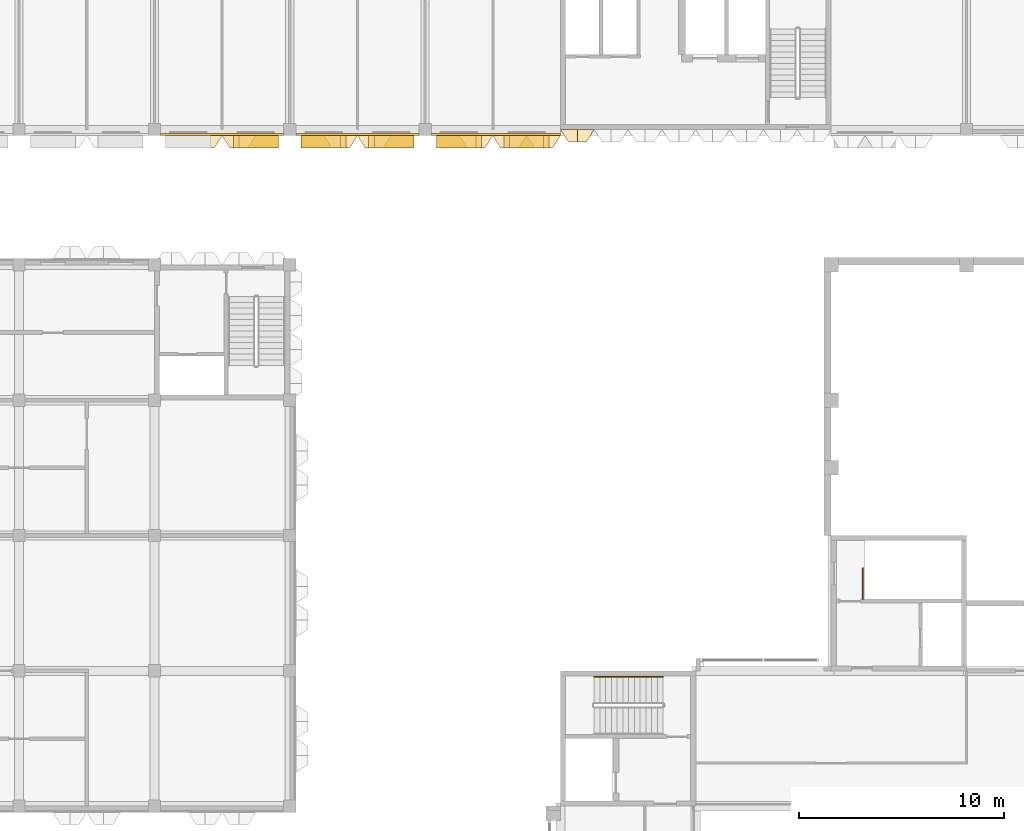
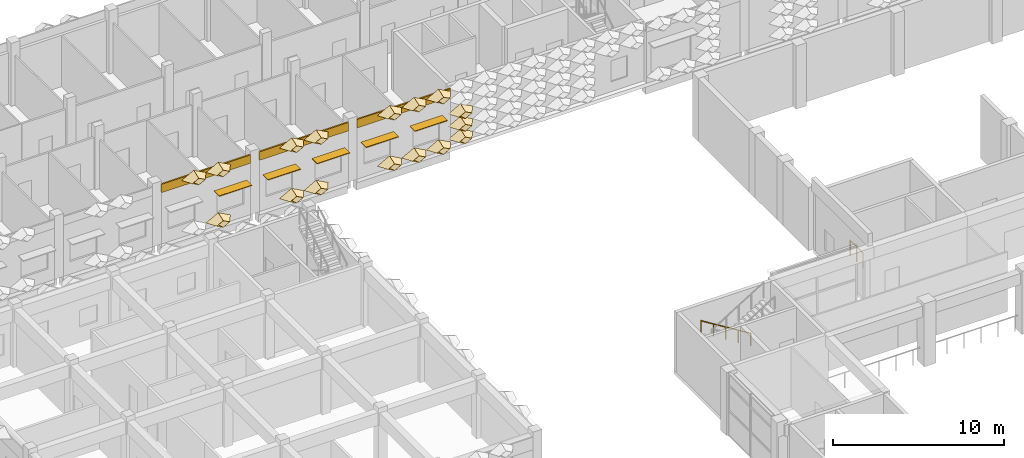
# One storey, part 72 of 87: 19 coverings, 5 shading devices, 2 railings.
"""IFC4 building model written with IfcOpenShell, lengths in metres."""

from ifc_helpers import new_model, entity, si_unit, direction, frame, frame_2d, origin, origin_2d, place, context, subcontext, project, spatial, rectangle, circle, extrude, material, layer, layer_set, type_object, element, save


model = new_model("IFC4")

# Units and contexts
model_context = context("Model", 3, precision=1e-05, world=origin(), true_north=direction((0.0, 1.0)))
body_context = subcontext(model_context, "Body", "Model", "MODEL_VIEW")
ifc_project = project(units=[si_unit("LENGTHUNIT", "METRE"), si_unit("AREAUNIT", "SQUARE_METRE"), si_unit("VOLUMEUNIT", "CUBIC_METRE"), si_unit("PLANEANGLEUNIT", "RADIAN"), si_unit("MASSUNIT", "GRAM", prefix="KILO")], contexts=[model_context])

# Site, building, storey
site_placement = place(None, origin())
site = spatial("IfcSite", under=ifc_project, at=site_placement, CompositionType="ELEMENT")
building_placement = place(site_placement, origin())
building = spatial("IfcBuilding", under=site, at=building_placement, Name="Lantern Court Research Institute", CompositionType="ELEMENT")
storey_placement = place(building_placement, frame((0.0, 0.0, 5.39990234375)))
storey = spatial("IfcBuildingStorey", under=building, at=storey_placement, Name="L01", CompositionType="ELEMENT", Elevation=5.39990234375)

# Shading devices
ifc_material_1 = material(Name="Aluminium alloy 6063-T6", Category="aluminium")
ifc_layer_1 = layer(ifc_material_1, 0.050048828125)
ifc_layer_set_1 = layer_set([ifc_layer_1], Name="Aluminium alloy 6063-T6")
shading_device_type = type_object("IfcShadingDeviceType", Name="Brise-soleil blade 2200 x 600 x 50 aluminium", PredefinedType="USERDEFINED", material=ifc_layer_set_1)
for number, where, z_axis, x_axis, name in (
    (1, (24.75, 81.89990234375, 2.5), (0.0, 0.0, 1.0), (-1.0, 0.0, 0.0), "Brise-soleil blade L01 S"),
    (2, (28.050048828125, 81.89990234375, 2.5), (0.0, 0.0, 1.0), (-1.0, 0.0, 0.0), "Brise-soleil blade L01 S"),
    (3, (31.35009765625, 81.89990234375, 2.5), (0.0, 0.0, 1.0), (-1.0, 0.0, 0.0), "Brise-soleil blade L01 S"),
    (4, (34.64990234375, 81.89990234375, 2.5), (0.0, 0.0, 1.0), (-1.0, 0.0, 0.0), "Brise-soleil blade L01 S"),
    (5, (37.949951171875, 81.89990234375, 2.5), (0.0, 0.0, 1.0), (-1.0, 0.0, 0.0), "Brise-soleil blade L01 S"),
):
    element("IfcShadingDevice", number, at=place(storey_placement, frame(where, z_axis=z_axis, x_axis=x_axis)), inside=storey, type_object=shading_device_type, Name=name, ObjectType="LOUVRE", PredefinedType="USERDEFINED", context=body_context, shape_type="SweptSolid", body=[
        extrude(rectangle(XDim=2.199951171875, YDim=0.60009765625, at=origin_2d()), origin(), (0.0, 0.0, 1.0), 0.050048828125),
    ])

# Coverings
ifc_material_2 = material(Name="Aluminium composite panel with mineral wool insulation", Category="aluminium")
ifc_layer_2 = layer(ifc_material_2, 0.10009765625)
ifc_layer_set_2 = layer_set([ifc_layer_2], Name="Aluminium composite panel with mineral wool insulation")
covering_type_1 = type_object("IfcCoveringType", Name="Edge fascia panel 100 aluminium faced", PredefinedType="CLADDING", material=ifc_layer_set_2)
for number, where, z_axis, x_axis, name in (
    (6, (26.10009765625, 82.25, 3.650146484375), (0.0, 0.0, 1.0), (-1.0, 0.0, 0.0), "Edge fascia V6S L01 04"),
    (7, (32.699951171875, 82.25, 3.650146484375), (0.0, 0.0, 1.0), (-1.0, 0.0, 0.0), "Edge fascia V6S L01 05"),
):
    element("IfcCovering", number, at=place(storey_placement, frame(where, z_axis=z_axis, x_axis=x_axis)), inside=storey, type_object=covering_type_1, Name=name, PredefinedType="CLADDING", context=body_context, shape_type="SweptSolid", body=[
        extrude(rectangle(XDim=6.0, YDim=0.10009765625, at=frame_2d((3.0, 0.0))), origin(), (0.0, 0.0, 1.0), 0.599853515625),
    ])
covering_1_placement = place(storey_placement, frame((39.60009765625, 82.25, 3.650146484375), z_axis=(0.0, 0.0, 1.0), x_axis=(-1.0, 0.0, 0.0)))
element("IfcCovering", 8, at=covering_1_placement, inside=storey, type_object=covering_type_1, Name="Edge fascia V6S L01 06", PredefinedType="CLADDING", context=body_context, shape_type="SweptSolid", body=[
    extrude(rectangle(XDim=6.300048828125, YDim=0.10009765625, at=frame_2d((3.14990234375, 0.0))), origin(), (0.0, 0.0, 1.0), 0.599853515625),
])
ifc_material_3 = material(Name="Anodised aluminium", Category="aluminium")
ifc_layer_3 = layer(ifc_material_3, 0.01611328125)
ifc_layer_set_3 = layer_set([ifc_layer_3], Name="Anodised aluminium")
covering_type_2 = type_object("IfcCoveringType", Name="Fin cassette 1650 x 900 x 600 aluminium", PredefinedType="CLADDING", material=ifc_layer_set_3)
covering_2_placement = place(storey_placement, frame((40.425048828125, 82.5, 0.4501953125), z_axis=(0.0, -1.0, 0.0), x_axis=(1.0, 0.0, 0.0)))
cartesian_point_1 = entity("IfcCartesianPoint", [0.824951171875, 0.0])
cartesian_point_2 = entity("IfcCartesianPoint", [0.79150390625, 0.0])
cartesian_point_3 = entity("IfcCartesianPoint", [0.44189453125, 0.0])
cartesian_point_4 = entity("IfcCartesianPoint", [0.43359375, 0.0])
element("IfcCovering", 9, at=covering_2_placement, inside=storey, type_object=covering_type_2, Name="Fin cassette V6S-L01 1.25", PredefinedType="CLADDING", context=body_context, shape_type="SweptSolid", body=[
    entity("IfcExtrudedAreaSolidTapered", entity("IfcArbitraryProfileDefWithVoids", "AREA", None, entity("IfcPolyline", [cartesian_point_1, entity("IfcCartesianPoint", [0.0, 0.449951171875]), entity("IfcCartesianPoint", [-0.824951171875, 0.0]), entity("IfcCartesianPoint", [0.0, -0.449951171875]), cartesian_point_1]), [entity("IfcPolyline", [cartesian_point_2, entity("IfcCartesianPoint", [0.0, 0.431884765625]), entity("IfcCartesianPoint", [-0.79150390625, 0.0]), entity("IfcCartesianPoint", [0.0, -0.431884765625]), cartesian_point_2])]), entity("IfcAxis2Placement3D", entity("IfcCartesianPoint", [0.0, 0.0, 0.0])), entity("IfcDirection", [0.0, 0.0, 1.0]), 0.60009765625, entity("IfcArbitraryProfileDefWithVoids", "AREA", None, entity("IfcPolyline", [cartesian_point_3, entity("IfcCartesianPoint", [0.0, 0.240966796875]), entity("IfcCartesianPoint", [-0.44189453125, 0.0]), entity("IfcCartesianPoint", [0.0, -0.240966796875]), cartesian_point_3]), [entity("IfcPolyline", [cartesian_point_4, entity("IfcCartesianPoint", [0.0, 0.236572265625]), entity("IfcCartesianPoint", [-0.43359375, 0.0]), entity("IfcCartesianPoint", [0.0, -0.236572265625]), cartesian_point_4])])),
])
covering_3_placement = place(storey_placement, frame((40.425048828125, 82.5, 1.35009765625), z_axis=(0.0, -1.0, 0.0), x_axis=(1.0, 0.0, 0.0)))
cartesian_point_5 = entity("IfcCartesianPoint", [0.824951171875, 0.0])
cartesian_point_6 = entity("IfcCartesianPoint", [0.79150390625, 0.0])
cartesian_point_7 = entity("IfcCartesianPoint", [0.44189453125, 0.0])
cartesian_point_8 = entity("IfcCartesianPoint", [0.43359375, 0.0])
element("IfcCovering", 10, at=covering_3_placement, inside=storey, type_object=covering_type_2, Name="Fin cassette V6S-L01 2.25", PredefinedType="CLADDING", context=body_context, shape_type="SweptSolid", body=[
    entity("IfcExtrudedAreaSolidTapered", entity("IfcArbitraryProfileDefWithVoids", "AREA", None, entity("IfcPolyline", [cartesian_point_5, entity("IfcCartesianPoint", [0.0, 0.449951171875]), entity("IfcCartesianPoint", [-0.824951171875, 0.0]), entity("IfcCartesianPoint", [0.0, -0.449951171875]), cartesian_point_5]), [entity("IfcPolyline", [cartesian_point_6, entity("IfcCartesianPoint", [0.0, 0.431884765625]), entity("IfcCartesianPoint", [-0.79150390625, 0.0]), entity("IfcCartesianPoint", [0.0, -0.431884765625]), cartesian_point_6])]), entity("IfcAxis2Placement3D", entity("IfcCartesianPoint", [0.0, 0.0, 0.0])), entity("IfcDirection", [0.0, 0.0, 1.0]), 0.60009765625, entity("IfcArbitraryProfileDefWithVoids", "AREA", None, entity("IfcPolyline", [cartesian_point_7, entity("IfcCartesianPoint", [0.0, 0.240966796875]), entity("IfcCartesianPoint", [-0.44189453125, 0.0]), entity("IfcCartesianPoint", [0.0, -0.240966796875]), cartesian_point_7]), [entity("IfcPolyline", [cartesian_point_8, entity("IfcCartesianPoint", [0.0, 0.236572265625]), entity("IfcCartesianPoint", [-0.43359375, 0.0]), entity("IfcCartesianPoint", [0.0, -0.236572265625]), cartesian_point_8])])),
])
covering_4_placement = place(storey_placement, frame((40.425048828125, 82.5, 2.25), z_axis=(0.0, -1.0, 0.0), x_axis=(1.0, 0.0, 0.0)))
cartesian_point_9 = entity("IfcCartesianPoint", [0.824951171875, 0.0])
cartesian_point_10 = entity("IfcCartesianPoint", [0.79150390625, 0.0])
cartesian_point_11 = entity("IfcCartesianPoint", [0.44189453125, 0.0])
cartesian_point_12 = entity("IfcCartesianPoint", [0.43359375, 0.0])
element("IfcCovering", 11, at=covering_4_placement, inside=storey, type_object=covering_type_2, Name="Fin cassette V6S-L01 3.25", PredefinedType="CLADDING", context=body_context, shape_type="SweptSolid", body=[
    entity("IfcExtrudedAreaSolidTapered", entity("IfcArbitraryProfileDefWithVoids", "AREA", None, entity("IfcPolyline", [cartesian_point_9, entity("IfcCartesianPoint", [0.0, 0.449951171875]), entity("IfcCartesianPoint", [-0.824951171875, 0.0]), entity("IfcCartesianPoint", [0.0, -0.449951171875]), cartesian_point_9]), [entity("IfcPolyline", [cartesian_point_10, entity("IfcCartesianPoint", [0.0, 0.431884765625]), entity("IfcCartesianPoint", [-0.79150390625, 0.0]), entity("IfcCartesianPoint", [0.0, -0.431884765625]), cartesian_point_10])]), entity("IfcAxis2Placement3D", entity("IfcCartesianPoint", [0.0, 0.0, 0.0])), entity("IfcDirection", [0.0, 0.0, 1.0]), 0.60009765625, entity("IfcArbitraryProfileDefWithVoids", "AREA", None, entity("IfcPolyline", [cartesian_point_11, entity("IfcCartesianPoint", [0.0, 0.240966796875]), entity("IfcCartesianPoint", [-0.44189453125, 0.0]), entity("IfcCartesianPoint", [0.0, -0.240966796875]), cartesian_point_11]), [entity("IfcPolyline", [cartesian_point_12, entity("IfcCartesianPoint", [0.0, 0.236572265625]), entity("IfcCartesianPoint", [-0.43359375, 0.0]), entity("IfcCartesianPoint", [0.0, -0.236572265625]), cartesian_point_12])])),
])
covering_5_placement = place(storey_placement, frame((23.925048828125, 82.199951171875, 0.4501953125), z_axis=(0.0, -1.0, 0.0), x_axis=(1.0, 0.0, 0.0)))
cartesian_point_13 = entity("IfcCartesianPoint", [0.824951171875, 0.0])
cartesian_point_14 = entity("IfcCartesianPoint", [0.79150390625, 0.0])
cartesian_point_15 = entity("IfcCartesianPoint", [0.44189453125, 0.0])
cartesian_point_16 = entity("IfcCartesianPoint", [0.43359375, 0.0])
element("IfcCovering", 12, at=covering_5_placement, inside=storey, type_object=covering_type_2, Name="Fin cassette V6S-L01 1.15", PredefinedType="CLADDING", context=body_context, shape_type="SweptSolid", body=[
    entity("IfcExtrudedAreaSolidTapered", entity("IfcArbitraryProfileDefWithVoids", "AREA", None, entity("IfcPolyline", [cartesian_point_13, entity("IfcCartesianPoint", [0.0, 0.449951171875]), entity("IfcCartesianPoint", [-0.824951171875, 0.0]), entity("IfcCartesianPoint", [0.0, -0.449951171875]), cartesian_point_13]), [entity("IfcPolyline", [cartesian_point_14, entity("IfcCartesianPoint", [0.0, 0.431884765625]), entity("IfcCartesianPoint", [-0.79150390625, 0.0]), entity("IfcCartesianPoint", [0.0, -0.431884765625]), cartesian_point_14])]), entity("IfcAxis2Placement3D", entity("IfcCartesianPoint", [0.0, 0.0, 0.0])), entity("IfcDirection", [0.0, 0.0, 1.0]), 0.60009765625, entity("IfcArbitraryProfileDefWithVoids", "AREA", None, entity("IfcPolyline", [cartesian_point_15, entity("IfcCartesianPoint", [0.0, 0.240966796875]), entity("IfcCartesianPoint", [-0.44189453125, 0.0]), entity("IfcCartesianPoint", [0.0, -0.240966796875]), cartesian_point_15]), [entity("IfcPolyline", [cartesian_point_16, entity("IfcCartesianPoint", [0.0, 0.236572265625]), entity("IfcCartesianPoint", [-0.43359375, 0.0]), entity("IfcCartesianPoint", [0.0, -0.236572265625]), cartesian_point_16])])),
])
covering_6_placement = place(storey_placement, frame((28.875, 82.199951171875, 0.4501953125), z_axis=(0.0, -1.0, 0.0), x_axis=(1.0, 0.0, 0.0)))
cartesian_point_17 = entity("IfcCartesianPoint", [0.824951171875, 0.0])
cartesian_point_18 = entity("IfcCartesianPoint", [0.79150390625, 0.0])
cartesian_point_19 = entity("IfcCartesianPoint", [0.44189453125, 0.0])
cartesian_point_20 = entity("IfcCartesianPoint", [0.43359375, 0.0])
element("IfcCovering", 13, at=covering_6_placement, inside=storey, type_object=covering_type_2, Name="Fin cassette V6S-L01 1.18", PredefinedType="CLADDING", context=body_context, shape_type="SweptSolid", body=[
    entity("IfcExtrudedAreaSolidTapered", entity("IfcArbitraryProfileDefWithVoids", "AREA", None, entity("IfcPolyline", [cartesian_point_17, entity("IfcCartesianPoint", [0.0, 0.449951171875]), entity("IfcCartesianPoint", [-0.824951171875, 0.0]), entity("IfcCartesianPoint", [0.0, -0.449951171875]), cartesian_point_17]), [entity("IfcPolyline", [cartesian_point_18, entity("IfcCartesianPoint", [0.0, 0.431884765625]), entity("IfcCartesianPoint", [-0.79150390625, 0.0]), entity("IfcCartesianPoint", [0.0, -0.431884765625]), cartesian_point_18])]), entity("IfcAxis2Placement3D", entity("IfcCartesianPoint", [0.0, 0.0, 0.0])), entity("IfcDirection", [0.0, 0.0, 1.0]), 0.60009765625, entity("IfcArbitraryProfileDefWithVoids", "AREA", None, entity("IfcPolyline", [cartesian_point_19, entity("IfcCartesianPoint", [0.0, 0.240966796875]), entity("IfcCartesianPoint", [-0.44189453125, 0.0]), entity("IfcCartesianPoint", [0.0, -0.240966796875]), cartesian_point_19]), [entity("IfcPolyline", [cartesian_point_20, entity("IfcCartesianPoint", [0.0, 0.236572265625]), entity("IfcCartesianPoint", [-0.43359375, 0.0]), entity("IfcCartesianPoint", [0.0, -0.236572265625]), cartesian_point_20])])),
])
covering_7_placement = place(storey_placement, frame((30.52490234375, 82.199951171875, 0.4501953125), z_axis=(0.0, -1.0, 0.0), x_axis=(1.0, 0.0, 0.0)))
cartesian_point_21 = entity("IfcCartesianPoint", [0.824951171875, 0.0])
cartesian_point_22 = entity("IfcCartesianPoint", [0.79150390625, 0.0])
cartesian_point_23 = entity("IfcCartesianPoint", [0.44189453125, 0.0])
cartesian_point_24 = entity("IfcCartesianPoint", [0.43359375, 0.0])
element("IfcCovering", 14, at=covering_7_placement, inside=storey, type_object=covering_type_2, Name="Fin cassette V6S-L01 1.19", PredefinedType="CLADDING", context=body_context, shape_type="SweptSolid", body=[
    entity("IfcExtrudedAreaSolidTapered", entity("IfcArbitraryProfileDefWithVoids", "AREA", None, entity("IfcPolyline", [cartesian_point_21, entity("IfcCartesianPoint", [0.0, 0.449951171875]), entity("IfcCartesianPoint", [-0.824951171875, 0.0]), entity("IfcCartesianPoint", [0.0, -0.449951171875]), cartesian_point_21]), [entity("IfcPolyline", [cartesian_point_22, entity("IfcCartesianPoint", [0.0, 0.431884765625]), entity("IfcCartesianPoint", [-0.79150390625, 0.0]), entity("IfcCartesianPoint", [0.0, -0.431884765625]), cartesian_point_22])]), entity("IfcAxis2Placement3D", entity("IfcCartesianPoint", [0.0, 0.0, 0.0])), entity("IfcDirection", [0.0, 0.0, 1.0]), 0.60009765625, entity("IfcArbitraryProfileDefWithVoids", "AREA", None, entity("IfcPolyline", [cartesian_point_23, entity("IfcCartesianPoint", [0.0, 0.240966796875]), entity("IfcCartesianPoint", [-0.44189453125, 0.0]), entity("IfcCartesianPoint", [0.0, -0.240966796875]), cartesian_point_23]), [entity("IfcPolyline", [cartesian_point_24, entity("IfcCartesianPoint", [0.0, 0.236572265625]), entity("IfcCartesianPoint", [-0.43359375, 0.0]), entity("IfcCartesianPoint", [0.0, -0.236572265625]), cartesian_point_24])])),
])
covering_8_placement = place(storey_placement, frame((35.47509765625, 82.199951171875, 0.4501953125), z_axis=(0.0, -1.0, 0.0), x_axis=(1.0, 0.0, 0.0)))
cartesian_point_25 = entity("IfcCartesianPoint", [0.824951171875, 0.0])
cartesian_point_26 = entity("IfcCartesianPoint", [0.79150390625, 0.0])
cartesian_point_27 = entity("IfcCartesianPoint", [0.44189453125, 0.0])
cartesian_point_28 = entity("IfcCartesianPoint", [0.43359375, 0.0])
element("IfcCovering", 15, at=covering_8_placement, inside=storey, type_object=covering_type_2, Name="Fin cassette V6S-L01 1.22", PredefinedType="CLADDING", context=body_context, shape_type="SweptSolid", body=[
    entity("IfcExtrudedAreaSolidTapered", entity("IfcArbitraryProfileDefWithVoids", "AREA", None, entity("IfcPolyline", [cartesian_point_25, entity("IfcCartesianPoint", [0.0, 0.449951171875]), entity("IfcCartesianPoint", [-0.824951171875, 0.0]), entity("IfcCartesianPoint", [0.0, -0.449951171875]), cartesian_point_25]), [entity("IfcPolyline", [cartesian_point_26, entity("IfcCartesianPoint", [0.0, 0.431884765625]), entity("IfcCartesianPoint", [-0.79150390625, 0.0]), entity("IfcCartesianPoint", [0.0, -0.431884765625]), cartesian_point_26])]), entity("IfcAxis2Placement3D", entity("IfcCartesianPoint", [0.0, 0.0, 0.0])), entity("IfcDirection", [0.0, 0.0, 1.0]), 0.60009765625, entity("IfcArbitraryProfileDefWithVoids", "AREA", None, entity("IfcPolyline", [cartesian_point_27, entity("IfcCartesianPoint", [0.0, 0.240966796875]), entity("IfcCartesianPoint", [-0.44189453125, 0.0]), entity("IfcCartesianPoint", [0.0, -0.240966796875]), cartesian_point_27]), [entity("IfcPolyline", [cartesian_point_28, entity("IfcCartesianPoint", [0.0, 0.236572265625]), entity("IfcCartesianPoint", [-0.43359375, 0.0]), entity("IfcCartesianPoint", [0.0, -0.236572265625]), cartesian_point_28])])),
])
covering_9_placement = place(storey_placement, frame((37.125, 82.199951171875, 0.4501953125), z_axis=(0.0, -1.0, 0.0), x_axis=(1.0, 0.0, 0.0)))
cartesian_point_29 = entity("IfcCartesianPoint", [0.824951171875, 0.0])
cartesian_point_30 = entity("IfcCartesianPoint", [0.79150390625, 0.0])
cartesian_point_31 = entity("IfcCartesianPoint", [0.44189453125, 0.0])
cartesian_point_32 = entity("IfcCartesianPoint", [0.43359375, 0.0])
element("IfcCovering", 16, at=covering_9_placement, inside=storey, type_object=covering_type_2, Name="Fin cassette V6S-L01 1.23", PredefinedType="CLADDING", context=body_context, shape_type="SweptSolid", body=[
    entity("IfcExtrudedAreaSolidTapered", entity("IfcArbitraryProfileDefWithVoids", "AREA", None, entity("IfcPolyline", [cartesian_point_29, entity("IfcCartesianPoint", [0.0, 0.449951171875]), entity("IfcCartesianPoint", [-0.824951171875, 0.0]), entity("IfcCartesianPoint", [0.0, -0.449951171875]), cartesian_point_29]), [entity("IfcPolyline", [cartesian_point_30, entity("IfcCartesianPoint", [0.0, 0.431884765625]), entity("IfcCartesianPoint", [-0.79150390625, 0.0]), entity("IfcCartesianPoint", [0.0, -0.431884765625]), cartesian_point_30])]), entity("IfcAxis2Placement3D", entity("IfcCartesianPoint", [0.0, 0.0, 0.0])), entity("IfcDirection", [0.0, 0.0, 1.0]), 0.60009765625, entity("IfcArbitraryProfileDefWithVoids", "AREA", None, entity("IfcPolyline", [cartesian_point_31, entity("IfcCartesianPoint", [0.0, 0.240966796875]), entity("IfcCartesianPoint", [-0.44189453125, 0.0]), entity("IfcCartesianPoint", [0.0, -0.240966796875]), cartesian_point_31]), [entity("IfcPolyline", [cartesian_point_32, entity("IfcCartesianPoint", [0.0, 0.236572265625]), entity("IfcCartesianPoint", [-0.43359375, 0.0]), entity("IfcCartesianPoint", [0.0, -0.236572265625]), cartesian_point_32])])),
])
covering_10_placement = place(storey_placement, frame((38.77490234375, 82.199951171875, 0.4501953125), z_axis=(0.0, -1.0, 0.0), x_axis=(1.0, 0.0, 0.0)))
cartesian_point_33 = entity("IfcCartesianPoint", [0.824951171875, 0.0])
cartesian_point_34 = entity("IfcCartesianPoint", [0.79150390625, 0.0])
cartesian_point_35 = entity("IfcCartesianPoint", [0.44189453125, 0.0])
cartesian_point_36 = entity("IfcCartesianPoint", [0.43359375, 0.0])
element("IfcCovering", 17, at=covering_10_placement, inside=storey, type_object=covering_type_2, Name="Fin cassette V6S-L01 1.24", PredefinedType="CLADDING", context=body_context, shape_type="SweptSolid", body=[
    entity("IfcExtrudedAreaSolidTapered", entity("IfcArbitraryProfileDefWithVoids", "AREA", None, entity("IfcPolyline", [cartesian_point_33, entity("IfcCartesianPoint", [0.0, 0.449951171875]), entity("IfcCartesianPoint", [-0.824951171875, 0.0]), entity("IfcCartesianPoint", [0.0, -0.449951171875]), cartesian_point_33]), [entity("IfcPolyline", [cartesian_point_34, entity("IfcCartesianPoint", [0.0, 0.431884765625]), entity("IfcCartesianPoint", [-0.79150390625, 0.0]), entity("IfcCartesianPoint", [0.0, -0.431884765625]), cartesian_point_34])]), entity("IfcAxis2Placement3D", entity("IfcCartesianPoint", [0.0, 0.0, 0.0])), entity("IfcDirection", [0.0, 0.0, 1.0]), 0.60009765625, entity("IfcArbitraryProfileDefWithVoids", "AREA", None, entity("IfcPolyline", [cartesian_point_35, entity("IfcCartesianPoint", [0.0, 0.240966796875]), entity("IfcCartesianPoint", [-0.44189453125, 0.0]), entity("IfcCartesianPoint", [0.0, -0.240966796875]), cartesian_point_35]), [entity("IfcPolyline", [cartesian_point_36, entity("IfcCartesianPoint", [0.0, 0.236572265625]), entity("IfcCartesianPoint", [-0.43359375, 0.0]), entity("IfcCartesianPoint", [0.0, -0.236572265625]), cartesian_point_36])])),
])
covering_11_placement = place(storey_placement, frame((22.27490234375, 82.199951171875, 4.050048828125), z_axis=(0.0, -1.0, 0.0), x_axis=(1.0, 0.0, 0.0)))
cartesian_point_37 = entity("IfcCartesianPoint", [0.824951171875, 0.0])
cartesian_point_38 = entity("IfcCartesianPoint", [0.79150390625, 0.0])
cartesian_point_39 = entity("IfcCartesianPoint", [0.44189453125, 0.0])
cartesian_point_40 = entity("IfcCartesianPoint", [0.43359375, 0.0])
element("IfcCovering", 18, at=covering_11_placement, inside=storey, type_object=covering_type_2, Name="Fin cassette V6S-L01 5.14", PredefinedType="CLADDING", context=body_context, shape_type="SweptSolid", body=[
    entity("IfcExtrudedAreaSolidTapered", entity("IfcArbitraryProfileDefWithVoids", "AREA", None, entity("IfcPolyline", [cartesian_point_37, entity("IfcCartesianPoint", [0.0, 0.449951171875]), entity("IfcCartesianPoint", [-0.824951171875, 0.0]), entity("IfcCartesianPoint", [0.0, -0.449951171875]), cartesian_point_37]), [entity("IfcPolyline", [cartesian_point_38, entity("IfcCartesianPoint", [0.0, 0.431884765625]), entity("IfcCartesianPoint", [-0.79150390625, 0.0]), entity("IfcCartesianPoint", [0.0, -0.431884765625]), cartesian_point_38])]), entity("IfcAxis2Placement3D", entity("IfcCartesianPoint", [0.0, 0.0, 0.0])), entity("IfcDirection", [0.0, 0.0, 1.0]), 0.60009765625, entity("IfcArbitraryProfileDefWithVoids", "AREA", None, entity("IfcPolyline", [cartesian_point_39, entity("IfcCartesianPoint", [0.0, 0.240966796875]), entity("IfcCartesianPoint", [-0.44189453125, 0.0]), entity("IfcCartesianPoint", [0.0, -0.240966796875]), cartesian_point_39]), [entity("IfcPolyline", [cartesian_point_40, entity("IfcCartesianPoint", [0.0, 0.236572265625]), entity("IfcCartesianPoint", [-0.43359375, 0.0]), entity("IfcCartesianPoint", [0.0, -0.236572265625]), cartesian_point_40])])),
])
covering_12_placement = place(storey_placement, frame((23.925048828125, 82.199951171875, 4.050048828125), z_axis=(0.0, -1.0, 0.0), x_axis=(1.0, 0.0, 0.0)))
cartesian_point_41 = entity("IfcCartesianPoint", [0.824951171875, 0.0])
cartesian_point_42 = entity("IfcCartesianPoint", [0.79150390625, 0.0])
cartesian_point_43 = entity("IfcCartesianPoint", [0.44189453125, 0.0])
cartesian_point_44 = entity("IfcCartesianPoint", [0.43359375, 0.0])
element("IfcCovering", 19, at=covering_12_placement, inside=storey, type_object=covering_type_2, Name="Fin cassette V6S-L01 5.15", PredefinedType="CLADDING", context=body_context, shape_type="SweptSolid", body=[
    entity("IfcExtrudedAreaSolidTapered", entity("IfcArbitraryProfileDefWithVoids", "AREA", None, entity("IfcPolyline", [cartesian_point_41, entity("IfcCartesianPoint", [0.0, 0.449951171875]), entity("IfcCartesianPoint", [-0.824951171875, 0.0]), entity("IfcCartesianPoint", [0.0, -0.449951171875]), cartesian_point_41]), [entity("IfcPolyline", [cartesian_point_42, entity("IfcCartesianPoint", [0.0, 0.431884765625]), entity("IfcCartesianPoint", [-0.79150390625, 0.0]), entity("IfcCartesianPoint", [0.0, -0.431884765625]), cartesian_point_42])]), entity("IfcAxis2Placement3D", entity("IfcCartesianPoint", [0.0, 0.0, 0.0])), entity("IfcDirection", [0.0, 0.0, 1.0]), 0.60009765625, entity("IfcArbitraryProfileDefWithVoids", "AREA", None, entity("IfcPolyline", [cartesian_point_43, entity("IfcCartesianPoint", [0.0, 0.240966796875]), entity("IfcCartesianPoint", [-0.44189453125, 0.0]), entity("IfcCartesianPoint", [0.0, -0.240966796875]), cartesian_point_43]), [entity("IfcPolyline", [cartesian_point_44, entity("IfcCartesianPoint", [0.0, 0.236572265625]), entity("IfcCartesianPoint", [-0.43359375, 0.0]), entity("IfcCartesianPoint", [0.0, -0.236572265625]), cartesian_point_44])])),
])
covering_13_placement = place(storey_placement, frame((28.875, 82.199951171875, 4.050048828125), z_axis=(0.0, -1.0, 0.0), x_axis=(1.0, 0.0, 0.0)))
cartesian_point_45 = entity("IfcCartesianPoint", [0.824951171875, 0.0])
cartesian_point_46 = entity("IfcCartesianPoint", [0.79150390625, 0.0])
cartesian_point_47 = entity("IfcCartesianPoint", [0.44189453125, 0.0])
cartesian_point_48 = entity("IfcCartesianPoint", [0.43359375, 0.0])
element("IfcCovering", 20, at=covering_13_placement, inside=storey, type_object=covering_type_2, Name="Fin cassette V6S-L01 5.18", PredefinedType="CLADDING", context=body_context, shape_type="SweptSolid", body=[
    entity("IfcExtrudedAreaSolidTapered", entity("IfcArbitraryProfileDefWithVoids", "AREA", None, entity("IfcPolyline", [cartesian_point_45, entity("IfcCartesianPoint", [0.0, 0.449951171875]), entity("IfcCartesianPoint", [-0.824951171875, 0.0]), entity("IfcCartesianPoint", [0.0, -0.449951171875]), cartesian_point_45]), [entity("IfcPolyline", [cartesian_point_46, entity("IfcCartesianPoint", [0.0, 0.431884765625]), entity("IfcCartesianPoint", [-0.79150390625, 0.0]), entity("IfcCartesianPoint", [0.0, -0.431884765625]), cartesian_point_46])]), entity("IfcAxis2Placement3D", entity("IfcCartesianPoint", [0.0, 0.0, 0.0])), entity("IfcDirection", [0.0, 0.0, 1.0]), 0.60009765625, entity("IfcArbitraryProfileDefWithVoids", "AREA", None, entity("IfcPolyline", [cartesian_point_47, entity("IfcCartesianPoint", [0.0, 0.240966796875]), entity("IfcCartesianPoint", [-0.44189453125, 0.0]), entity("IfcCartesianPoint", [0.0, -0.240966796875]), cartesian_point_47]), [entity("IfcPolyline", [cartesian_point_48, entity("IfcCartesianPoint", [0.0, 0.236572265625]), entity("IfcCartesianPoint", [-0.43359375, 0.0]), entity("IfcCartesianPoint", [0.0, -0.236572265625]), cartesian_point_48])])),
])
covering_14_placement = place(storey_placement, frame((30.52490234375, 82.199951171875, 4.050048828125), z_axis=(0.0, -1.0, 0.0), x_axis=(1.0, 0.0, 0.0)))
cartesian_point_49 = entity("IfcCartesianPoint", [0.824951171875, 0.0])
cartesian_point_50 = entity("IfcCartesianPoint", [0.79150390625, 0.0])
cartesian_point_51 = entity("IfcCartesianPoint", [0.44189453125, 0.0])
cartesian_point_52 = entity("IfcCartesianPoint", [0.43359375, 0.0])
element("IfcCovering", 21, at=covering_14_placement, inside=storey, type_object=covering_type_2, Name="Fin cassette V6S-L01 5.19", PredefinedType="CLADDING", context=body_context, shape_type="SweptSolid", body=[
    entity("IfcExtrudedAreaSolidTapered", entity("IfcArbitraryProfileDefWithVoids", "AREA", None, entity("IfcPolyline", [cartesian_point_49, entity("IfcCartesianPoint", [0.0, 0.449951171875]), entity("IfcCartesianPoint", [-0.824951171875, 0.0]), entity("IfcCartesianPoint", [0.0, -0.449951171875]), cartesian_point_49]), [entity("IfcPolyline", [cartesian_point_50, entity("IfcCartesianPoint", [0.0, 0.431884765625]), entity("IfcCartesianPoint", [-0.79150390625, 0.0]), entity("IfcCartesianPoint", [0.0, -0.431884765625]), cartesian_point_50])]), entity("IfcAxis2Placement3D", entity("IfcCartesianPoint", [0.0, 0.0, 0.0])), entity("IfcDirection", [0.0, 0.0, 1.0]), 0.60009765625, entity("IfcArbitraryProfileDefWithVoids", "AREA", None, entity("IfcPolyline", [cartesian_point_51, entity("IfcCartesianPoint", [0.0, 0.240966796875]), entity("IfcCartesianPoint", [-0.44189453125, 0.0]), entity("IfcCartesianPoint", [0.0, -0.240966796875]), cartesian_point_51]), [entity("IfcPolyline", [cartesian_point_52, entity("IfcCartesianPoint", [0.0, 0.236572265625]), entity("IfcCartesianPoint", [-0.43359375, 0.0]), entity("IfcCartesianPoint", [0.0, -0.236572265625]), cartesian_point_52])])),
])
covering_15_placement = place(storey_placement, frame((35.47509765625, 82.199951171875, 4.050048828125), z_axis=(0.0, -1.0, 0.0), x_axis=(1.0, 0.0, 0.0)))
cartesian_point_53 = entity("IfcCartesianPoint", [0.824951171875, 0.0])
cartesian_point_54 = entity("IfcCartesianPoint", [0.79150390625, 0.0])
cartesian_point_55 = entity("IfcCartesianPoint", [0.44189453125, 0.0])
cartesian_point_56 = entity("IfcCartesianPoint", [0.43359375, 0.0])
element("IfcCovering", 22, at=covering_15_placement, inside=storey, type_object=covering_type_2, Name="Fin cassette V6S-L01 5.22", PredefinedType="CLADDING", context=body_context, shape_type="SweptSolid", body=[
    entity("IfcExtrudedAreaSolidTapered", entity("IfcArbitraryProfileDefWithVoids", "AREA", None, entity("IfcPolyline", [cartesian_point_53, entity("IfcCartesianPoint", [0.0, 0.449951171875]), entity("IfcCartesianPoint", [-0.824951171875, 0.0]), entity("IfcCartesianPoint", [0.0, -0.449951171875]), cartesian_point_53]), [entity("IfcPolyline", [cartesian_point_54, entity("IfcCartesianPoint", [0.0, 0.431884765625]), entity("IfcCartesianPoint", [-0.79150390625, 0.0]), entity("IfcCartesianPoint", [0.0, -0.431884765625]), cartesian_point_54])]), entity("IfcAxis2Placement3D", entity("IfcCartesianPoint", [0.0, 0.0, 0.0])), entity("IfcDirection", [0.0, 0.0, 1.0]), 0.60009765625, entity("IfcArbitraryProfileDefWithVoids", "AREA", None, entity("IfcPolyline", [cartesian_point_55, entity("IfcCartesianPoint", [0.0, 0.240966796875]), entity("IfcCartesianPoint", [-0.44189453125, 0.0]), entity("IfcCartesianPoint", [0.0, -0.240966796875]), cartesian_point_55]), [entity("IfcPolyline", [cartesian_point_56, entity("IfcCartesianPoint", [0.0, 0.236572265625]), entity("IfcCartesianPoint", [-0.43359375, 0.0]), entity("IfcCartesianPoint", [0.0, -0.236572265625]), cartesian_point_56])])),
])
covering_16_placement = place(storey_placement, frame((37.125, 82.199951171875, 4.050048828125), z_axis=(0.0, -1.0, 0.0), x_axis=(1.0, 0.0, 0.0)))
cartesian_point_57 = entity("IfcCartesianPoint", [0.824951171875, 0.0])
cartesian_point_58 = entity("IfcCartesianPoint", [0.79150390625, 0.0])
cartesian_point_59 = entity("IfcCartesianPoint", [0.44189453125, 0.0])
cartesian_point_60 = entity("IfcCartesianPoint", [0.43359375, 0.0])
element("IfcCovering", 23, at=covering_16_placement, inside=storey, type_object=covering_type_2, Name="Fin cassette V6S-L01 5.23", PredefinedType="CLADDING", context=body_context, shape_type="SweptSolid", body=[
    entity("IfcExtrudedAreaSolidTapered", entity("IfcArbitraryProfileDefWithVoids", "AREA", None, entity("IfcPolyline", [cartesian_point_57, entity("IfcCartesianPoint", [0.0, 0.449951171875]), entity("IfcCartesianPoint", [-0.824951171875, 0.0]), entity("IfcCartesianPoint", [0.0, -0.449951171875]), cartesian_point_57]), [entity("IfcPolyline", [cartesian_point_58, entity("IfcCartesianPoint", [0.0, 0.431884765625]), entity("IfcCartesianPoint", [-0.79150390625, 0.0]), entity("IfcCartesianPoint", [0.0, -0.431884765625]), cartesian_point_58])]), entity("IfcAxis2Placement3D", entity("IfcCartesianPoint", [0.0, 0.0, 0.0])), entity("IfcDirection", [0.0, 0.0, 1.0]), 0.60009765625, entity("IfcArbitraryProfileDefWithVoids", "AREA", None, entity("IfcPolyline", [cartesian_point_59, entity("IfcCartesianPoint", [0.0, 0.240966796875]), entity("IfcCartesianPoint", [-0.44189453125, 0.0]), entity("IfcCartesianPoint", [0.0, -0.240966796875]), cartesian_point_59]), [entity("IfcPolyline", [cartesian_point_60, entity("IfcCartesianPoint", [0.0, 0.236572265625]), entity("IfcCartesianPoint", [-0.43359375, 0.0]), entity("IfcCartesianPoint", [0.0, -0.236572265625]), cartesian_point_60])])),
])
covering_17_placement = place(storey_placement, frame((38.77490234375, 82.199951171875, 4.050048828125), z_axis=(0.0, -1.0, 0.0), x_axis=(1.0, 0.0, 0.0)))
cartesian_point_61 = entity("IfcCartesianPoint", [0.824951171875, 0.0])
cartesian_point_62 = entity("IfcCartesianPoint", [0.79150390625, 0.0])
cartesian_point_63 = entity("IfcCartesianPoint", [0.44189453125, 0.0])
cartesian_point_64 = entity("IfcCartesianPoint", [0.43359375, 0.0])
element("IfcCovering", 24, at=covering_17_placement, inside=storey, type_object=covering_type_2, Name="Fin cassette V6S-L01 5.24", PredefinedType="CLADDING", context=body_context, shape_type="SweptSolid", body=[
    entity("IfcExtrudedAreaSolidTapered", entity("IfcArbitraryProfileDefWithVoids", "AREA", None, entity("IfcPolyline", [cartesian_point_61, entity("IfcCartesianPoint", [0.0, 0.449951171875]), entity("IfcCartesianPoint", [-0.824951171875, 0.0]), entity("IfcCartesianPoint", [0.0, -0.449951171875]), cartesian_point_61]), [entity("IfcPolyline", [cartesian_point_62, entity("IfcCartesianPoint", [0.0, 0.431884765625]), entity("IfcCartesianPoint", [-0.79150390625, 0.0]), entity("IfcCartesianPoint", [0.0, -0.431884765625]), cartesian_point_62])]), entity("IfcAxis2Placement3D", entity("IfcCartesianPoint", [0.0, 0.0, 0.0])), entity("IfcDirection", [0.0, 0.0, 1.0]), 0.60009765625, entity("IfcArbitraryProfileDefWithVoids", "AREA", None, entity("IfcPolyline", [cartesian_point_63, entity("IfcCartesianPoint", [0.0, 0.240966796875]), entity("IfcCartesianPoint", [-0.44189453125, 0.0]), entity("IfcCartesianPoint", [0.0, -0.240966796875]), cartesian_point_63]), [entity("IfcPolyline", [cartesian_point_64, entity("IfcCartesianPoint", [0.0, 0.236572265625]), entity("IfcCartesianPoint", [-0.43359375, 0.0]), entity("IfcCartesianPoint", [0.0, -0.236572265625]), cartesian_point_64])])),
])

# Railings
ifc_material_4 = material(Name="Structural steel S355", Category="steel")
railing_type_1 = type_object("IfcRailingType", Name="Stair guard 1100 steel", PredefinedType="GUARDRAIL", material=ifc_material_4)
railing_1_placement = place(storey_placement, frame((54.35009765625, 59.60009765625, 0.0)))
element("IfcRailing", 25, at=railing_1_placement, inside=storey, type_object=railing_type_1, Name="L01 ST-L1 top well guard 1", PredefinedType="GUARDRAIL", context=body_context, shape_type="SweptSolid", body=[
    extrude(circle(Radius=0.02392578125, at=origin_2d()), frame((0.0, 0.0, 1.076171875), z_axis=(0.0, 1.0, 0.0), x_axis=(-1.0, 0.0, 0.0)), (0.0, 0.0, 1.0), 1.5),
    extrude(circle(Radius=0.02099609375, at=origin_2d()), origin(), (0.0, 0.0, 1.0), 1.052001953125),
    extrude(circle(Radius=0.02099609375, at=origin_2d()), frame((0.0, 0.75, 0.0)), (0.0, 0.0, 1.0), 1.052001953125),
    extrude(circle(Radius=0.02099609375, at=origin_2d()), frame((0.0, 1.5, 0.0)), (0.0, 0.0, 1.0), 1.052001953125),
])
ifc_material_5 = material(Name="Stainless steel 316", Category="steel")
railing_type_2 = type_object("IfcRailingType", Name="Stair handrail 900 steel", PredefinedType="HANDRAIL", material=ifc_material_5)
railing_2_placement = place(storey_placement, frame((44.60009765625, 55.824951171875, 0.173095703125)))
element("IfcRailing", 26, at=railing_2_placement, inside=storey, type_object=railing_type_2, Name="L01 ST-H1 stair handrail 1", PredefinedType="HANDRAIL", context=body_context, shape_type="SweptSolid", body=[
    extrude(circle(Radius=0.02392578125, at=origin_2d()), frame((0.0, 0.0, 0.8759765625), z_axis=(-0.850623216509, 0.0, 0.525775754039), x_axis=(0.0, -1.0, 0.0)), (0.0, 0.0, 1.0), 3.9501953125),
    extrude(circle(Radius=0.02099609375, at=origin_2d()), origin(), (0.0, 0.0, 1.0), 0.851806640625),
    extrude(circle(Radius=0.02099609375, at=origin_2d()), frame((-0.840087890625, 0.0, 0.519287109375)), (0.0, 0.0, 1.0), 0.851806640625),
    extrude(circle(Radius=0.02099609375, at=origin_2d()), frame((-1.68017578125, 0.0, 1.03857421875)), (0.0, 0.0, 1.0), 0.851806640625),
    extrude(circle(Radius=0.02099609375, at=origin_2d()), frame((-2.52001953125, 0.0, 1.5576171875)), (0.0, 0.0, 1.0), 0.851806640625),
    extrude(circle(Radius=0.02099609375, at=origin_2d()), frame((-3.360107421875, 0.0, 2.076904296875)), (0.0, 0.0, 1.0), 0.851806640625),
])

save(model, "model.ifc")
